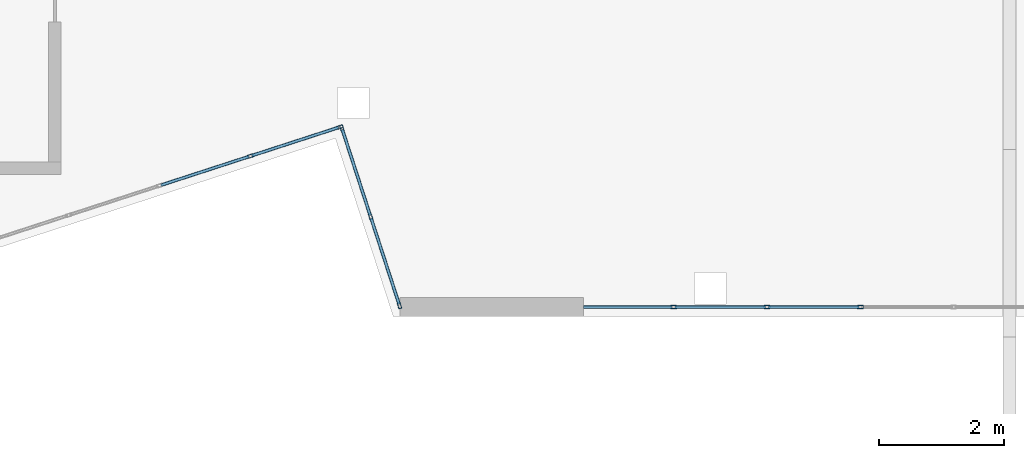
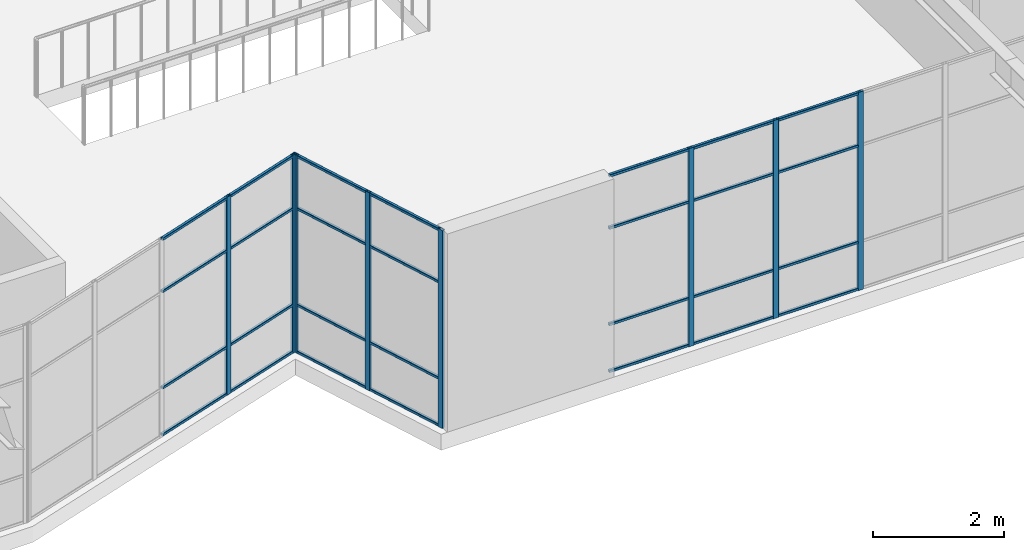
# One storey, part 7 of 65: 36 members, 3 elements without a shape of their own.
"""IFC4 building model written with IfcOpenShell, lengths in metres."""

from ifc_helpers import new_model, si_unit, direction, frame, origin, origin_2d, place, context, subcontext, project, spatial, hollow_rectangle, extrude, material, layer, layer_set, material_profile, profile_set, type_object, element, aggregate, save


model = new_model("IFC4")

# Units and contexts
model_context = context("Model", 3, precision=1e-05, world=origin(), true_north=direction((0.0, 1.0)))
body_context = subcontext(model_context, "Body", "Model", "MODEL_VIEW")
ifc_project = project(units=[si_unit("LENGTHUNIT", "METRE"), si_unit("AREAUNIT", "SQUARE_METRE"), si_unit("VOLUMEUNIT", "CUBIC_METRE"), si_unit("PLANEANGLEUNIT", "RADIAN"), si_unit("MASSUNIT", "GRAM", prefix="KILO")], contexts=[model_context])

# Site, building, storey
site_placement = place(None, origin())
site = spatial("IfcSite", under=ifc_project, at=site_placement, CompositionType="ELEMENT")
building_placement = place(site_placement, origin())
building = spatial("IfcBuilding", under=site, at=building_placement, Name="Tuart Plaza Theatre", CompositionType="ELEMENT")
storey_placement = place(building_placement, frame((0.0, 0.0, 9.5)))
storey = spatial("IfcBuildingStorey", under=building, at=storey_placement, Name="L02", CompositionType="ELEMENT", Elevation=9.5)

# Curtain wall, members
ifc_material_1 = material(Name="Aluminium and glass", Category="aluminium")
ifc_layer = layer(ifc_material_1, 0.10009765625)
ifc_layer_set = layer_set([ifc_layer], Name="CURTAIN WALL 1500 module")
curtain_wall_type = type_object("IfcCurtainWallType", Name="CURTAIN WALL 1500 module", PredefinedType="NOTDEFINED", material=ifc_layer_set)
curtain_wall_1_placement = place(storey_placement, origin())
curtain_wall_1 = element("IfcCurtainWall", 1, at=curtain_wall_1_placement, inside=storey, type_object=curtain_wall_type, Name="CW28", PredefinedType="NOTDEFINED")
ifc_material_2 = material(Name="Aluminium 6063-T5", Category="aluminium")
ifc_material_profile_1 = material_profile(ifc_material_2, hollow_rectangle(XDim=0.050048828125, YDim=0.10009765625, WallThickness=0.00390625, InnerFilletRadius=0.00390625, OuterFilletRadius=0.008056640625, at=origin_2d()), Name="RHS 100x50x4")
ifc_profile_set_1 = profile_set([ifc_material_profile_1], Name="Aluminium 6063-T5")
member_type_1 = type_object("IfcMemberType", Name="MULLION RHS 100x50x4", PredefinedType="MULLION", material=ifc_profile_set_1)
member_1_placement = place(storey_placement, frame((92.832763671875, 43.897705078125, 0.0), z_axis=(0.0, 0.0, 1.0), x_axis=(-0.309018232632, 0.95105611396, 0.0)))
member_1 = element("IfcMember", 2, at=member_1_placement, type_object=member_type_1, Name="CW28 mullion 4", PredefinedType="MULLION", context=body_context, shape_type="SweptSolid", body=[
    extrude(hollow_rectangle(XDim=0.050048828125, YDim=0.10009765625, WallThickness=0.00390625, InnerFilletRadius=0.00390625, OuterFilletRadius=0.008056640625, at=origin_2d()), origin(), (0.0, 0.0, 1.0), 3.699951171875),
])
member_2_placement = place(storey_placement, frame((94.265625, 44.36328125, 0.0), z_axis=(0.0, 0.0, 1.0), x_axis=(-0.309018232632, 0.95105611396, 0.0)))
member_2 = element("IfcMember", 3, at=member_2_placement, type_object=member_type_1, Name="CW28 mullion 5", PredefinedType="MULLION", context=body_context, shape_type="SweptSolid", body=[
    extrude(hollow_rectangle(XDim=0.050048828125, YDim=0.10009765625, WallThickness=0.00390625, InnerFilletRadius=0.00390625, OuterFilletRadius=0.008056640625, at=origin_2d()), origin(), (0.0, 0.0, 1.0), 3.699951171875),
])

curtain_wall_2_placement = place(storey_placement, origin())
curtain_wall_2 = element("IfcCurtainWall", 4, at=curtain_wall_2_placement, inside=storey, type_object=curtain_wall_type, Name="CW29", PredefinedType="NOTDEFINED")
member_3_placement = place(storey_placement, frame((94.297119140625, 44.34716796875, 0.0), z_axis=(0.0, 0.0, 1.0), x_axis=(0.951056113949, 0.309018232665, 0.0)))
member_3 = element("IfcMember", 5, at=member_3_placement, type_object=member_type_1, Name="CW29 mullion 1", PredefinedType="MULLION", context=body_context, shape_type="SweptSolid", body=[
    extrude(hollow_rectangle(XDim=0.050048828125, YDim=0.10009765625, WallThickness=0.00390625, InnerFilletRadius=0.00390625, OuterFilletRadius=0.008056640625, at=origin_2d()), origin(), (0.0, 0.0, 1.0), 3.699951171875),
])
member_4_placement = place(storey_placement, frame((94.759033203125, 42.925048828125, 0.0), z_axis=(0.0, 0.0, 1.0), x_axis=(0.951056113949, 0.309018232665, 0.0)))
member_4 = element("IfcMember", 6, at=member_4_placement, type_object=member_type_1, Name="CW29 mullion 2", PredefinedType="MULLION", context=body_context, shape_type="SweptSolid", body=[
    extrude(hollow_rectangle(XDim=0.050048828125, YDim=0.10009765625, WallThickness=0.00390625, InnerFilletRadius=0.00390625, OuterFilletRadius=0.008056640625, at=origin_2d()), origin(), (0.0, 0.0, 1.0), 3.699951171875),
])
member_5_placement = place(storey_placement, frame((95.22119140625, 41.502685546875, 0.0), z_axis=(0.0, 0.0, 1.0), x_axis=(0.951056113949, 0.309018232665, 0.0)))
member_5 = element("IfcMember", 7, at=member_5_placement, type_object=member_type_1, Name="CW29 mullion 3", PredefinedType="MULLION", context=body_context, shape_type="SweptSolid", body=[
    extrude(hollow_rectangle(XDim=0.050048828125, YDim=0.10009765625, WallThickness=0.00390625, InnerFilletRadius=0.00390625, OuterFilletRadius=0.008056640625, at=origin_2d()), origin(), (0.0, 0.0, 1.0), 3.699951171875),
])

curtain_wall_3_placement = place(storey_placement, origin())
curtain_wall_3 = element("IfcCurtainWall", 8, at=curtain_wall_3_placement, inside=storey, type_object=curtain_wall_type, Name="CW30", PredefinedType="NOTDEFINED")
member_6_placement = place(storey_placement, frame((99.615234375, 41.47900390625, 0.0), z_axis=(0.0, 0.0, 1.0), x_axis=(0.0, 1.0, 0.0)))
member_6 = element("IfcMember", 9, at=member_6_placement, type_object=member_type_1, Name="CW30 mullion 2", PredefinedType="MULLION", context=body_context, shape_type="SweptSolid", body=[
    extrude(hollow_rectangle(XDim=0.050048828125, YDim=0.10009765625, WallThickness=0.00390625, InnerFilletRadius=0.00390625, OuterFilletRadius=0.008056640625, at=origin_2d()), origin(), (0.0, 0.0, 1.0), 3.699951171875),
])
member_7_placement = place(storey_placement, frame((101.110595703125, 41.47900390625, 0.0), z_axis=(0.0, 0.0, 1.0), x_axis=(0.0, 1.0, 0.0)))
member_7 = element("IfcMember", 10, at=member_7_placement, type_object=member_type_1, Name="CW30 mullion 3", PredefinedType="MULLION", context=body_context, shape_type="SweptSolid", body=[
    extrude(hollow_rectangle(XDim=0.050048828125, YDim=0.10009765625, WallThickness=0.00390625, InnerFilletRadius=0.00390625, OuterFilletRadius=0.008056640625, at=origin_2d()), origin(), (0.0, 0.0, 1.0), 3.699951171875),
])
member_8_placement = place(storey_placement, frame((102.605712890625, 41.47900390625, 0.0), z_axis=(0.0, 0.0, 1.0), x_axis=(0.0, 1.0, 0.0)))
member_8 = element("IfcMember", 11, at=member_8_placement, type_object=member_type_1, Name="CW30 mullion 4", PredefinedType="MULLION", context=body_context, shape_type="SweptSolid", body=[
    extrude(hollow_rectangle(XDim=0.050048828125, YDim=0.10009765625, WallThickness=0.00390625, InnerFilletRadius=0.00390625, OuterFilletRadius=0.008056640625, at=origin_2d()), origin(), (0.0, 0.0, 1.0), 3.699951171875),
])

# Member
ifc_material_3 = material(Name="Aluminium 6063-T5", Category="aluminium")
ifc_material_profile_2 = material_profile(ifc_material_3, hollow_rectangle(XDim=0.050048828125, YDim=0.050048828125, WallThickness=0.00390625, InnerFilletRadius=0.00390625, OuterFilletRadius=0.008056640625, at=origin_2d()), Name="RHS 50x50x4")
ifc_profile_set_2 = profile_set([ifc_material_profile_2], Name="Aluminium 6063-T5")
member_type_2 = type_object("IfcMemberType", Name="TRANSOM RHS 50x50x4", PredefinedType="USERDEFINED", material=ifc_profile_set_2)
member_9_placement = place(storey_placement, frame((91.400146484375, 43.43212890625, 0.02490234375), z_axis=(0.951013479291, 0.309149417285, 0.0), x_axis=(-0.309149417285, 0.951013479291, 0.0)))
member_9 = element("IfcMember", 12, at=member_9_placement, type_object=member_type_2, Name="CW28 transom 3.1", ObjectType="TRANSOM", PredefinedType="USERDEFINED", context=body_context, shape_type="SweptSolid", body=[
    extrude(hollow_rectangle(XDim=0.050048828125, YDim=0.050048828125, WallThickness=0.00390625, InnerFilletRadius=0.00390625, OuterFilletRadius=0.008056640625, at=origin_2d()), origin(), (0.0, 0.0, 1.0), 1.4814453125),
])

member_10_placement = place(storey_placement, frame((91.400146484375, 43.43212890625, 0.89990234375), z_axis=(0.951013479291, 0.309149417285, 0.0), x_axis=(-0.309149417285, 0.951013479291, 0.0)))
member_10 = element("IfcMember", 13, at=member_10_placement, type_object=member_type_2, Name="CW28 transom 3.2", ObjectType="TRANSOM", PredefinedType="USERDEFINED", context=body_context, shape_type="SweptSolid", body=[
    extrude(hollow_rectangle(XDim=0.050048828125, YDim=0.050048828125, WallThickness=0.00390625, InnerFilletRadius=0.00390625, OuterFilletRadius=0.008056640625, at=origin_2d()), origin(), (0.0, 0.0, 1.0), 1.4814453125),
])

member_11_placement = place(storey_placement, frame((91.400146484375, 43.43212890625, 2.699951171875), z_axis=(0.951013479291, 0.309149417285, 0.0), x_axis=(-0.309149417285, 0.951013479291, 0.0)))
member_11 = element("IfcMember", 14, at=member_11_placement, type_object=member_type_2, Name="CW28 transom 3.3", ObjectType="TRANSOM", PredefinedType="USERDEFINED", context=body_context, shape_type="SweptSolid", body=[
    extrude(hollow_rectangle(XDim=0.050048828125, YDim=0.050048828125, WallThickness=0.00390625, InnerFilletRadius=0.00390625, OuterFilletRadius=0.008056640625, at=origin_2d()), origin(), (0.0, 0.0, 1.0), 1.4814453125),
])

member_12_placement = place(storey_placement, frame((91.400146484375, 43.43212890625, 3.675048828125), z_axis=(0.951013479291, 0.309149417285, 0.0), x_axis=(-0.309149417285, 0.951013479291, 0.0)))
member_12 = element("IfcMember", 15, at=member_12_placement, type_object=member_type_2, Name="CW28 transom 3.4", ObjectType="TRANSOM", PredefinedType="USERDEFINED", context=body_context, shape_type="SweptSolid", body=[
    extrude(hollow_rectangle(XDim=0.050048828125, YDim=0.050048828125, WallThickness=0.00390625, InnerFilletRadius=0.00390625, OuterFilletRadius=0.008056640625, at=origin_2d()), origin(), (0.0, 0.0, 1.0), 1.4814453125),
])

member_13_placement = place(storey_placement, frame((92.8564453125, 43.905517578125, 0.02490234375), z_axis=(0.951085791685, 0.308926879463, 0.0), x_axis=(-0.308926879463, 0.951085791685, 0.0)))
member_13 = element("IfcMember", 16, at=member_13_placement, type_object=member_type_2, Name="CW28 transom 4.1", ObjectType="TRANSOM", PredefinedType="USERDEFINED", context=body_context, shape_type="SweptSolid", body=[
    extrude(hollow_rectangle(XDim=0.050048828125, YDim=0.050048828125, WallThickness=0.00390625, InnerFilletRadius=0.00390625, OuterFilletRadius=0.008056640625, at=origin_2d()), origin(), (0.0, 0.0, 1.0), 1.45654296875),
])

member_14_placement = place(storey_placement, frame((92.8564453125, 43.905517578125, 0.89990234375), z_axis=(0.951085791685, 0.308926879463, 0.0), x_axis=(-0.308926879463, 0.951085791685, 0.0)))
member_14 = element("IfcMember", 17, at=member_14_placement, type_object=member_type_2, Name="CW28 transom 4.2", ObjectType="TRANSOM", PredefinedType="USERDEFINED", context=body_context, shape_type="SweptSolid", body=[
    extrude(hollow_rectangle(XDim=0.050048828125, YDim=0.050048828125, WallThickness=0.00390625, InnerFilletRadius=0.00390625, OuterFilletRadius=0.008056640625, at=origin_2d()), origin(), (0.0, 0.0, 1.0), 1.45654296875),
])

member_15_placement = place(storey_placement, frame((92.8564453125, 43.905517578125, 2.699951171875), z_axis=(0.951085791685, 0.308926879463, 0.0), x_axis=(-0.308926879463, 0.951085791685, 0.0)))
member_15 = element("IfcMember", 18, at=member_15_placement, type_object=member_type_2, Name="CW28 transom 4.3", ObjectType="TRANSOM", PredefinedType="USERDEFINED", context=body_context, shape_type="SweptSolid", body=[
    extrude(hollow_rectangle(XDim=0.050048828125, YDim=0.050048828125, WallThickness=0.00390625, InnerFilletRadius=0.00390625, OuterFilletRadius=0.008056640625, at=origin_2d()), origin(), (0.0, 0.0, 1.0), 1.45654296875),
])

member_16_placement = place(storey_placement, frame((92.8564453125, 43.905517578125, 3.675048828125), z_axis=(0.951085791685, 0.308926879463, 0.0), x_axis=(-0.308926879463, 0.951085791685, 0.0)))
member_16 = element("IfcMember", 19, at=member_16_placement, type_object=member_type_2, Name="CW28 transom 4.4", ObjectType="TRANSOM", PredefinedType="USERDEFINED", context=body_context, shape_type="SweptSolid", body=[
    extrude(hollow_rectangle(XDim=0.050048828125, YDim=0.050048828125, WallThickness=0.00390625, InnerFilletRadius=0.00390625, OuterFilletRadius=0.008056640625, at=origin_2d()), origin(), (0.0, 0.0, 1.0), 1.45654296875),
])

aggregate(curtain_wall_1, [member_1, member_2, member_9, member_10, member_11, member_12, member_13, member_14, member_15, member_16])

member_17_placement = place(storey_placement, frame((94.3046875, 44.323486328125, 0.02490234375), z_axis=(0.309074615454, -0.951037792142, 0.0), x_axis=(0.951037792142, 0.309074615454, 0.0)))
member_17 = element("IfcMember", 20, at=member_17_placement, type_object=member_type_2, Name="CW29 transom 1.1", ObjectType="TRANSOM", PredefinedType="USERDEFINED", context=body_context, shape_type="SweptSolid", body=[
    extrude(hollow_rectangle(XDim=0.050048828125, YDim=0.050048828125, WallThickness=0.00390625, InnerFilletRadius=0.00390625, OuterFilletRadius=0.008056640625, at=origin_2d()), origin(), (0.0, 0.0, 1.0), 1.445556640625),
])

member_18_placement = place(storey_placement, frame((94.3046875, 44.323486328125, 0.89990234375), z_axis=(0.309074615454, -0.951037792142, 0.0), x_axis=(0.951037792142, 0.309074615454, 0.0)))
member_18 = element("IfcMember", 21, at=member_18_placement, type_object=member_type_2, Name="CW29 transom 1.2", ObjectType="TRANSOM", PredefinedType="USERDEFINED", context=body_context, shape_type="SweptSolid", body=[
    extrude(hollow_rectangle(XDim=0.050048828125, YDim=0.050048828125, WallThickness=0.00390625, InnerFilletRadius=0.00390625, OuterFilletRadius=0.008056640625, at=origin_2d()), origin(), (0.0, 0.0, 1.0), 1.445556640625),
])

member_19_placement = place(storey_placement, frame((94.3046875, 44.323486328125, 2.699951171875), z_axis=(0.309074615454, -0.951037792142, 0.0), x_axis=(0.951037792142, 0.309074615454, 0.0)))
member_19 = element("IfcMember", 22, at=member_19_placement, type_object=member_type_2, Name="CW29 transom 1.3", ObjectType="TRANSOM", PredefinedType="USERDEFINED", context=body_context, shape_type="SweptSolid", body=[
    extrude(hollow_rectangle(XDim=0.050048828125, YDim=0.050048828125, WallThickness=0.00390625, InnerFilletRadius=0.00390625, OuterFilletRadius=0.008056640625, at=origin_2d()), origin(), (0.0, 0.0, 1.0), 1.445556640625),
])

member_20_placement = place(storey_placement, frame((94.3046875, 44.323486328125, 3.675048828125), z_axis=(0.309074615454, -0.951037792142, 0.0), x_axis=(0.951037792142, 0.309074615454, 0.0)))
member_20 = element("IfcMember", 23, at=member_20_placement, type_object=member_type_2, Name="CW29 transom 1.4", ObjectType="TRANSOM", PredefinedType="USERDEFINED", context=body_context, shape_type="SweptSolid", body=[
    extrude(hollow_rectangle(XDim=0.050048828125, YDim=0.050048828125, WallThickness=0.00390625, InnerFilletRadius=0.00390625, OuterFilletRadius=0.008056640625, at=origin_2d()), origin(), (0.0, 0.0, 1.0), 1.445556640625),
])

member_21_placement = place(storey_placement, frame((94.766845703125, 42.901123046875, 0.02490234375), z_axis=(0.309124267762, -0.95102165437, 0.0), x_axis=(0.95102165437, 0.309124267762, 0.0)))
member_21 = element("IfcMember", 24, at=member_21_placement, type_object=member_type_2, Name="CW29 transom 2.1", ObjectType="TRANSOM", PredefinedType="USERDEFINED", context=body_context, shape_type="SweptSolid", body=[
    extrude(hollow_rectangle(XDim=0.050048828125, YDim=0.050048828125, WallThickness=0.00390625, InnerFilletRadius=0.00390625, OuterFilletRadius=0.008056640625, at=origin_2d()), origin(), (0.0, 0.0, 1.0), 1.4453125),
])

member_22_placement = place(storey_placement, frame((94.766845703125, 42.901123046875, 0.89990234375), z_axis=(0.309124267762, -0.95102165437, 0.0), x_axis=(0.95102165437, 0.309124267762, 0.0)))
member_22 = element("IfcMember", 25, at=member_22_placement, type_object=member_type_2, Name="CW29 transom 2.2", ObjectType="TRANSOM", PredefinedType="USERDEFINED", context=body_context, shape_type="SweptSolid", body=[
    extrude(hollow_rectangle(XDim=0.050048828125, YDim=0.050048828125, WallThickness=0.00390625, InnerFilletRadius=0.00390625, OuterFilletRadius=0.008056640625, at=origin_2d()), origin(), (0.0, 0.0, 1.0), 1.4453125),
])

member_23_placement = place(storey_placement, frame((94.766845703125, 42.901123046875, 2.699951171875), z_axis=(0.309124267762, -0.95102165437, 0.0), x_axis=(0.95102165437, 0.309124267762, 0.0)))
member_23 = element("IfcMember", 26, at=member_23_placement, type_object=member_type_2, Name="CW29 transom 2.3", ObjectType="TRANSOM", PredefinedType="USERDEFINED", context=body_context, shape_type="SweptSolid", body=[
    extrude(hollow_rectangle(XDim=0.050048828125, YDim=0.050048828125, WallThickness=0.00390625, InnerFilletRadius=0.00390625, OuterFilletRadius=0.008056640625, at=origin_2d()), origin(), (0.0, 0.0, 1.0), 1.4453125),
])

member_24_placement = place(storey_placement, frame((94.766845703125, 42.901123046875, 3.675048828125), z_axis=(0.309124267762, -0.95102165437, 0.0), x_axis=(0.95102165437, 0.309124267762, 0.0)))
member_24 = element("IfcMember", 27, at=member_24_placement, type_object=member_type_2, Name="CW29 transom 2.4", ObjectType="TRANSOM", PredefinedType="USERDEFINED", context=body_context, shape_type="SweptSolid", body=[
    extrude(hollow_rectangle(XDim=0.050048828125, YDim=0.050048828125, WallThickness=0.00390625, InnerFilletRadius=0.00390625, OuterFilletRadius=0.008056640625, at=origin_2d()), origin(), (0.0, 0.0, 1.0), 1.4453125),
])

aggregate(curtain_wall_2, [member_3, member_4, member_5, member_17, member_18, member_19, member_20, member_21, member_22, member_23, member_24])

member_25_placement = place(storey_placement, frame((98.169921875, 41.47900390625, 0.02490234375), z_axis=(1.0, 0.0, 0.0), x_axis=(0.0, 1.0, 0.0)))
member_25 = element("IfcMember", 28, at=member_25_placement, type_object=member_type_2, Name="CW30 transom 1.1", ObjectType="TRANSOM", PredefinedType="USERDEFINED", context=body_context, shape_type="SweptSolid", body=[
    extrude(hollow_rectangle(XDim=0.050048828125, YDim=0.050048828125, WallThickness=0.00390625, InnerFilletRadius=0.00390625, OuterFilletRadius=0.008056640625, at=origin_2d()), origin(), (0.0, 0.0, 1.0), 1.42041015625),
])

member_26_placement = place(storey_placement, frame((98.169921875, 41.47900390625, 0.89990234375), z_axis=(1.0, 0.0, 0.0), x_axis=(0.0, 1.0, 0.0)))
member_26 = element("IfcMember", 29, at=member_26_placement, type_object=member_type_2, Name="CW30 transom 1.2", ObjectType="TRANSOM", PredefinedType="USERDEFINED", context=body_context, shape_type="SweptSolid", body=[
    extrude(hollow_rectangle(XDim=0.050048828125, YDim=0.050048828125, WallThickness=0.00390625, InnerFilletRadius=0.00390625, OuterFilletRadius=0.008056640625, at=origin_2d()), origin(), (0.0, 0.0, 1.0), 1.42041015625),
])

member_27_placement = place(storey_placement, frame((98.169921875, 41.47900390625, 2.699951171875), z_axis=(1.0, 0.0, 0.0), x_axis=(0.0, 1.0, 0.0)))
member_27 = element("IfcMember", 30, at=member_27_placement, type_object=member_type_2, Name="CW30 transom 1.3", ObjectType="TRANSOM", PredefinedType="USERDEFINED", context=body_context, shape_type="SweptSolid", body=[
    extrude(hollow_rectangle(XDim=0.050048828125, YDim=0.050048828125, WallThickness=0.00390625, InnerFilletRadius=0.00390625, OuterFilletRadius=0.008056640625, at=origin_2d()), origin(), (0.0, 0.0, 1.0), 1.42041015625),
])

member_28_placement = place(storey_placement, frame((98.169921875, 41.47900390625, 3.675048828125), z_axis=(1.0, 0.0, 0.0), x_axis=(0.0, 1.0, 0.0)))
member_28 = element("IfcMember", 31, at=member_28_placement, type_object=member_type_2, Name="CW30 transom 1.4", ObjectType="TRANSOM", PredefinedType="USERDEFINED", context=body_context, shape_type="SweptSolid", body=[
    extrude(hollow_rectangle(XDim=0.050048828125, YDim=0.050048828125, WallThickness=0.00390625, InnerFilletRadius=0.00390625, OuterFilletRadius=0.008056640625, at=origin_2d()), origin(), (0.0, 0.0, 1.0), 1.42041015625),
])

member_29_placement = place(storey_placement, frame((99.64013671875, 41.47900390625, 0.02490234375), z_axis=(1.0, 0.0, 0.0), x_axis=(0.0, 1.0, 0.0)))
member_29 = element("IfcMember", 32, at=member_29_placement, type_object=member_type_2, Name="CW30 transom 2.1", ObjectType="TRANSOM", PredefinedType="USERDEFINED", context=body_context, shape_type="SweptSolid", body=[
    extrude(hollow_rectangle(XDim=0.050048828125, YDim=0.050048828125, WallThickness=0.00390625, InnerFilletRadius=0.00390625, OuterFilletRadius=0.008056640625, at=origin_2d()), origin(), (0.0, 0.0, 1.0), 1.4453125),
])

member_30_placement = place(storey_placement, frame((99.64013671875, 41.47900390625, 0.89990234375), z_axis=(1.0, 0.0, 0.0), x_axis=(0.0, 1.0, 0.0)))
member_30 = element("IfcMember", 33, at=member_30_placement, type_object=member_type_2, Name="CW30 transom 2.2", ObjectType="TRANSOM", PredefinedType="USERDEFINED", context=body_context, shape_type="SweptSolid", body=[
    extrude(hollow_rectangle(XDim=0.050048828125, YDim=0.050048828125, WallThickness=0.00390625, InnerFilletRadius=0.00390625, OuterFilletRadius=0.008056640625, at=origin_2d()), origin(), (0.0, 0.0, 1.0), 1.4453125),
])

member_31_placement = place(storey_placement, frame((99.64013671875, 41.47900390625, 2.699951171875), z_axis=(1.0, 0.0, 0.0), x_axis=(0.0, 1.0, 0.0)))
member_31 = element("IfcMember", 34, at=member_31_placement, type_object=member_type_2, Name="CW30 transom 2.3", ObjectType="TRANSOM", PredefinedType="USERDEFINED", context=body_context, shape_type="SweptSolid", body=[
    extrude(hollow_rectangle(XDim=0.050048828125, YDim=0.050048828125, WallThickness=0.00390625, InnerFilletRadius=0.00390625, OuterFilletRadius=0.008056640625, at=origin_2d()), origin(), (0.0, 0.0, 1.0), 1.4453125),
])

member_32_placement = place(storey_placement, frame((99.64013671875, 41.47900390625, 3.675048828125), z_axis=(1.0, 0.0, 0.0), x_axis=(0.0, 1.0, 0.0)))
member_32 = element("IfcMember", 35, at=member_32_placement, type_object=member_type_2, Name="CW30 transom 2.4", ObjectType="TRANSOM", PredefinedType="USERDEFINED", context=body_context, shape_type="SweptSolid", body=[
    extrude(hollow_rectangle(XDim=0.050048828125, YDim=0.050048828125, WallThickness=0.00390625, InnerFilletRadius=0.00390625, OuterFilletRadius=0.008056640625, at=origin_2d()), origin(), (0.0, 0.0, 1.0), 1.4453125),
])

member_33_placement = place(storey_placement, frame((101.135498046875, 41.47900390625, 0.02490234375), z_axis=(1.0, 0.0, 0.0), x_axis=(0.0, 1.0, 0.0)))
member_33 = element("IfcMember", 36, at=member_33_placement, type_object=member_type_2, Name="CW30 transom 3.1", ObjectType="TRANSOM", PredefinedType="USERDEFINED", context=body_context, shape_type="SweptSolid", body=[
    extrude(hollow_rectangle(XDim=0.050048828125, YDim=0.050048828125, WallThickness=0.00390625, InnerFilletRadius=0.00390625, OuterFilletRadius=0.008056640625, at=origin_2d()), origin(), (0.0, 0.0, 1.0), 1.4453125),
])

member_34_placement = place(storey_placement, frame((101.135498046875, 41.47900390625, 0.89990234375), z_axis=(1.0, 0.0, 0.0), x_axis=(0.0, 1.0, 0.0)))
member_34 = element("IfcMember", 37, at=member_34_placement, type_object=member_type_2, Name="CW30 transom 3.2", ObjectType="TRANSOM", PredefinedType="USERDEFINED", context=body_context, shape_type="SweptSolid", body=[
    extrude(hollow_rectangle(XDim=0.050048828125, YDim=0.050048828125, WallThickness=0.00390625, InnerFilletRadius=0.00390625, OuterFilletRadius=0.008056640625, at=origin_2d()), origin(), (0.0, 0.0, 1.0), 1.4453125),
])

member_35_placement = place(storey_placement, frame((101.135498046875, 41.47900390625, 2.699951171875), z_axis=(1.0, 0.0, 0.0), x_axis=(0.0, 1.0, 0.0)))
member_35 = element("IfcMember", 38, at=member_35_placement, type_object=member_type_2, Name="CW30 transom 3.3", ObjectType="TRANSOM", PredefinedType="USERDEFINED", context=body_context, shape_type="SweptSolid", body=[
    extrude(hollow_rectangle(XDim=0.050048828125, YDim=0.050048828125, WallThickness=0.00390625, InnerFilletRadius=0.00390625, OuterFilletRadius=0.008056640625, at=origin_2d()), origin(), (0.0, 0.0, 1.0), 1.4453125),
])

member_36_placement = place(storey_placement, frame((101.135498046875, 41.47900390625, 3.675048828125), z_axis=(1.0, 0.0, 0.0), x_axis=(0.0, 1.0, 0.0)))
member_36 = element("IfcMember", 39, at=member_36_placement, type_object=member_type_2, Name="CW30 transom 3.4", ObjectType="TRANSOM", PredefinedType="USERDEFINED", context=body_context, shape_type="SweptSolid", body=[
    extrude(hollow_rectangle(XDim=0.050048828125, YDim=0.050048828125, WallThickness=0.00390625, InnerFilletRadius=0.00390625, OuterFilletRadius=0.008056640625, at=origin_2d()), origin(), (0.0, 0.0, 1.0), 1.4453125),
])

aggregate(curtain_wall_3, [member_6, member_7, member_8, member_25, member_26, member_27, member_28, member_29, member_30, member_31, member_32, member_33, member_34, member_35, member_36])

save(model, "model.ifc")
